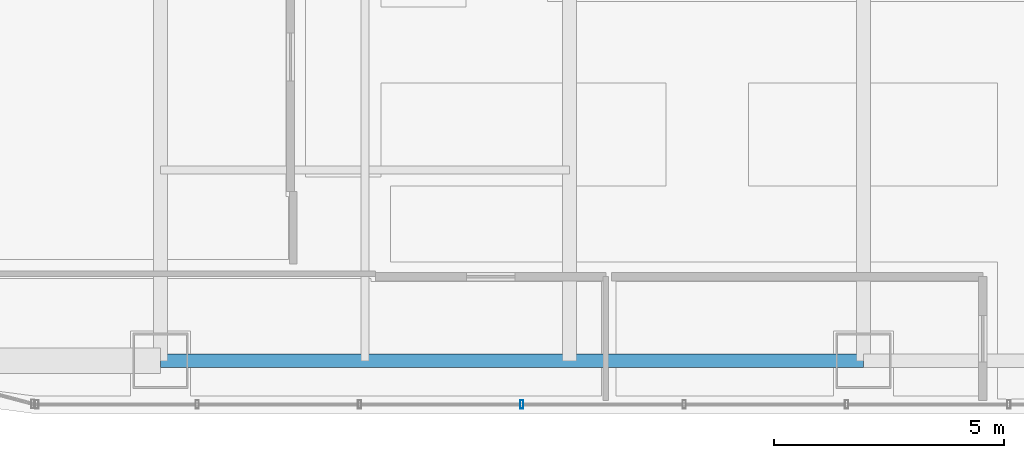
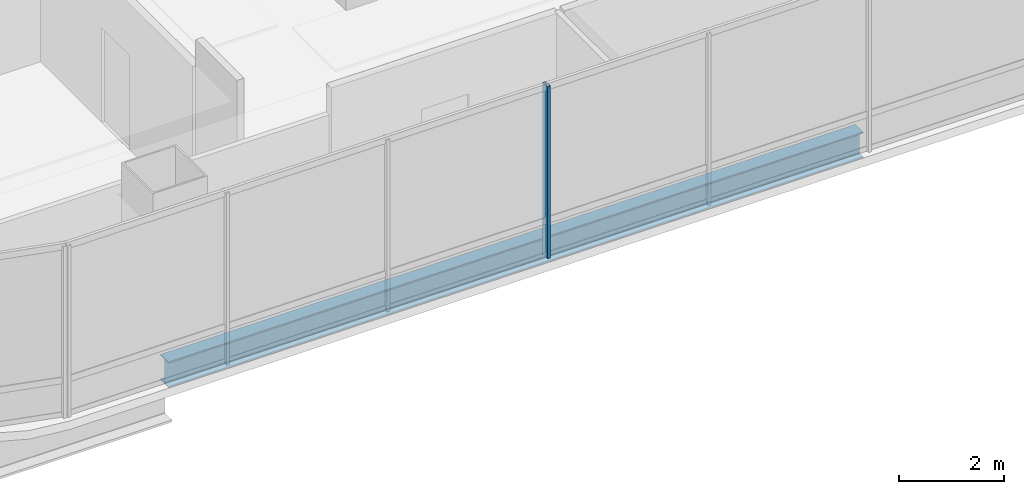
# One storey, part 3 of 42: 1 beam, 1 member, 1 element without a shape of its own.
"""IFC4 building model written with IfcOpenShell, lengths in metres."""

from ifc_helpers import new_model, si_unit, direction, frame, origin, origin_2d, place, context, subcontext, project, spatial, hollow_rectangle, i_section, extrude, material, material_profile, profile_set, type_object, element, aggregate, save


model = new_model("IFC4")

# Units and contexts
model_context = context("Model", 3, precision=1e-05, world=origin(), true_north=direction((0.0, 1.0)))
body_context = subcontext(model_context, "Body", "Model", "MODEL_VIEW")
ifc_project = project(units=[si_unit("LENGTHUNIT", "METRE"), si_unit("AREAUNIT", "SQUARE_METRE"), si_unit("VOLUMEUNIT", "CUBIC_METRE"), si_unit("PLANEANGLEUNIT", "RADIAN"), si_unit("MASSUNIT", "GRAM", prefix="KILO")], contexts=[model_context])

# Site, building, storey
site_placement = place(None, origin())
site = spatial("IfcSite", under=ifc_project, at=site_placement, CompositionType="ELEMENT")
building_placement = place(site_placement, origin())
building = spatial("IfcBuilding", under=site, at=building_placement, Name="Punatoya Terracotta Tower", CompositionType="ELEMENT")
storey_placement = place(building_placement, frame((0.0, 0.0, 296.39990234375)))
storey = spatial("IfcBuildingStorey", under=building, at=storey_placement, Name="L70", CompositionType="ELEMENT", Elevation=296.39990234375)

# Beam
ifc_material_1 = material(Name="Steel S355", Category="steel")
ifc_material_profile_1 = material_profile(ifc_material_1, i_section(OverallWidth=0.300048828125, OverallDepth=0.60009765625, WebThickness=0.015380859375, FlangeThickness=0.030029296875, FilletRadius=0.01806640625, at=origin_2d()))
ifc_profile_set_1 = profile_set([ifc_material_profile_1], Name="Steel S355")
beam_type = type_object("IfcBeamType", Name="BM-PRI-600", PredefinedType="BEAM", material=ifc_profile_set_1)
beam_placement = place(storey_placement, frame((-19.10009765625, -17.5, -0.5), z_axis=(1.0, 0.0, 0.0), x_axis=(0.0, 1.0, 0.0)))
element("IfcBeam", 1, at=beam_placement, inside=storey, type_object=beam_type, Name="BM-L70-RG-S1", PredefinedType="BEAM", context=body_context, shape_type="SweptSolid", body=[
    extrude(i_section(OverallWidth=0.300048828125, OverallDepth=0.60009765625, WebThickness=0.015380859375, FlangeThickness=0.030029296875, FilletRadius=0.01806640625, at=origin_2d()), origin(), (0.0, 0.0, 1.0), 15.300048828125),
])

# Curtain wall, member
ifc_material_2 = material(Name="Aluminium 6063-T6 + Double Low-E Glass", Category="aluminium")
curtain_wall_type = type_object("IfcCurtainWallType", Name="CW-M3", PredefinedType="NOTDEFINED", material=ifc_material_2)
curtain_wall_placement = place(storey_placement, origin())
curtain_wall = element("IfcCurtainWall", 2, at=curtain_wall_placement, inside=storey, type_object=curtain_wall_type, Name="L70 Curtain Wall CW-L70-S01-1", PredefinedType="NOTDEFINED")
ifc_material_3 = material(Name="Aluminium 6063-T6", Category="aluminium")
ifc_material_profile_2 = material_profile(ifc_material_3, hollow_rectangle(XDim=0.070068359375, YDim=0.179931640625, WallThickness=0.00390625, at=origin_2d()))
ifc_profile_set_2 = profile_set([ifc_material_profile_2], Name="Aluminium 6063-T6")
member_type = type_object("IfcMemberType", Name="CW-MUL-M3", PredefinedType="MULLION", material=ifc_profile_set_2)
member_placement = place(storey_placement, frame((-11.235107421875, -18.449951171875, 0.0), z_axis=(0.0, 0.0, 1.0), x_axis=(1.0, 0.0, 0.0)))
member = element("IfcMember", 3, at=member_placement, type_object=member_type, Name="CW-L70-S01-1 Mullion 03", PredefinedType="MULLION", context=body_context, shape_type="SweptSolid", body=[
    extrude(hollow_rectangle(XDim=0.070068359375, YDim=0.179931640625, WallThickness=0.00390625, at=origin_2d()), origin(), (0.0, 0.0, 1.0), 4.0),
])
aggregate(curtain_wall, [member])

save(model, "model.ifc")
